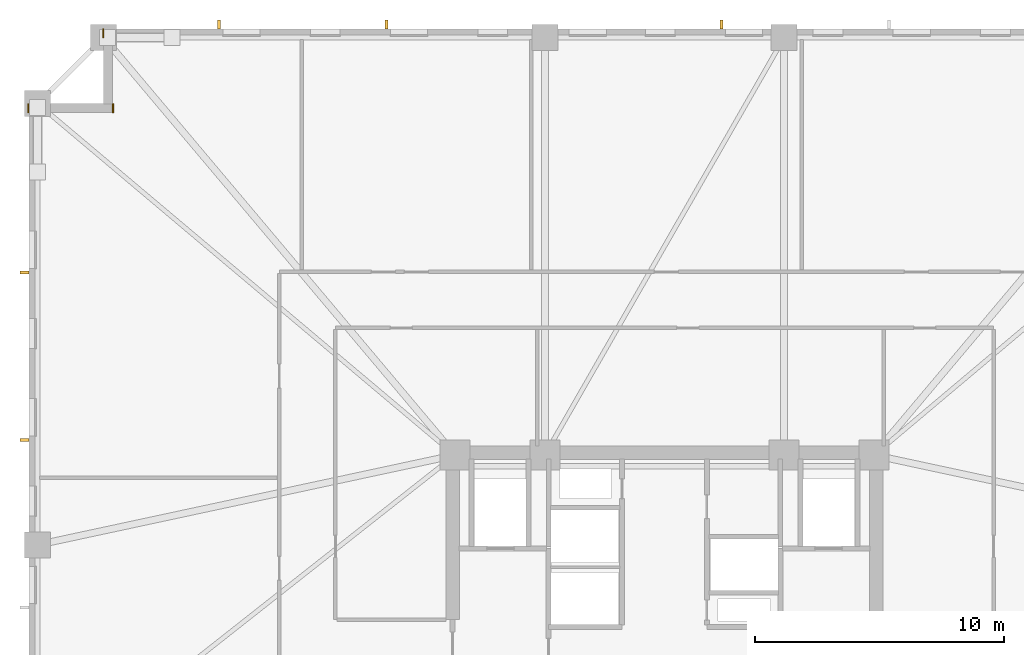
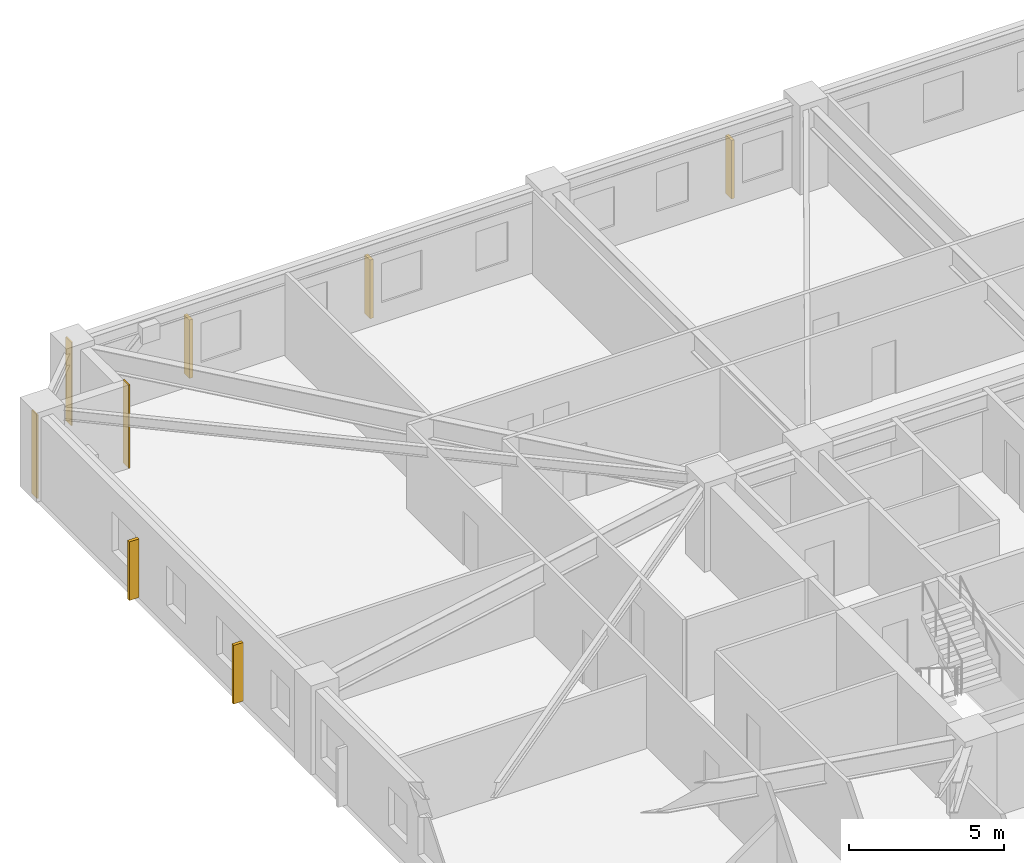
# One storey, part 10 of 11: 5 shading devices, 3 coverings.
"""IFC4 building model written with IfcOpenShell, lengths in metres."""

from ifc_helpers import new_model, si_unit, direction, frame, frame_2d, origin, origin_2d, place, context, subcontext, project, spatial, rectangle, extrude, material, layer, layer_set, type_object, element, save


model = new_model("IFC4")

# Units and contexts
model_context = context("Model", 3, precision=1e-05, world=origin(), true_north=direction((0.0, 1.0)))
body_context = subcontext(model_context, "Body", "Model", "MODEL_VIEW")
ifc_project = project(units=[si_unit("LENGTHUNIT", "METRE"), si_unit("AREAUNIT", "SQUARE_METRE"), si_unit("VOLUMEUNIT", "CUBIC_METRE"), si_unit("PLANEANGLEUNIT", "RADIAN"), si_unit("MASSUNIT", "GRAM", prefix="KILO")], contexts=[model_context])

# Site, building, storey
site_placement = place(None, origin())
site = spatial("IfcSite", under=ifc_project, at=site_placement, CompositionType="ELEMENT")
building_placement = place(site_placement, origin())
building = spatial("IfcBuilding", under=site, at=building_placement, Name="Cairnveth Concourse Tower", CompositionType="ELEMENT")
storey_placement = place(building_placement, frame((0.0, 0.0, 51.5)))
storey = spatial("IfcBuildingStorey", under=building, at=storey_placement, Name="L13", CompositionType="ELEMENT", Elevation=51.5)

# Coverings
ifc_material_1 = material(Name="Dressed Melbourne Bluestone Cladding", Category="masonry")
ifc_layer = layer(ifc_material_1, 0.050048828125)
ifc_layer_set = layer_set([ifc_layer], Name="Dressed Melbourne Bluestone Cladding")
covering_type = type_object("IfcCoveringType", Name="DRESSED BLUESTONE PLINTH CLADDING 50", PredefinedType="CLADDING", material=ifc_layer_set)
for number, where, z_axis, x_axis, name in (
    (1, (26.47998046875, 61.139892578125, 0.0), (0.0, 0.0, 1.0), (0.0, 1.0, 0.0), "Melbourne Bluestone Corner Quoin L13-155"),
    (2, (29.8798828125, 61.139892578125, 0.0), (0.0, 0.0, 1.0), (0.0, 1.0, 0.0), "Melbourne Bluestone Corner Quoin L13-156"),
    (3, (29.47998046875, 64.139892578125, 0.0), (0.0, 0.0, 1.0), (0.0, 1.0, 0.0), "Melbourne Bluestone Corner Quoin L13-157"),
):
    element("IfcCovering", number, at=place(storey_placement, frame(where, z_axis=z_axis, x_axis=x_axis)), inside=storey, type_object=covering_type, Name=name, PredefinedType="CLADDING", context=body_context, shape_type="SweptSolid", body=[
        extrude(rectangle(XDim=0.360107421875, YDim=0.050048828125, at=frame_2d((0.18017578125, 0.0))), origin(), (0.0, 0.0, 1.0), 3.280029296875),
    ])

# Shading devices
ifc_material_2 = material(Name="Architectural Bronze Anodised Aluminium 6063-T6", Category="aluminium")
shading_device_type = type_object("IfcShadingDeviceType", Name="GOTHIC BRONZE VERTICAL LANCET FIN", PredefinedType="USERDEFINED", material=ifc_material_2)
for number, where, z_axis, x_axis, name in (
    (4, (26.324951171875, 48.00146484375, 0.02978515625), (0.0, 0.0, 1.0), (0.0, 1.0, 0.0), "Gothic Bronze Vertical Fin L13-3-9"),
    (5, (26.324951171875, 54.721923828125, 0.02978515625), (0.0, 0.0, 1.0), (0.0, 1.0, 0.0), "Gothic Bronze Vertical Fin L13-3-11"),
    (6, (34.1201171875, 64.675048828125, 0.02978515625), (0.0, 0.0, 1.0), (1.0, 0.0, 0.0), "Gothic Bronze Vertical Fin L13-6-1"),
    (7, (40.840576171875, 64.675048828125, 0.02978515625), (0.0, 0.0, 1.0), (1.0, 0.0, 0.0), "Gothic Bronze Vertical Fin L13-6-3"),
    (8, (54.28125, 64.675048828125, 0.02978515625), (0.0, 0.0, 1.0), (1.0, 0.0, 0.0), "Gothic Bronze Vertical Fin L13-6-7"),
):
    element("IfcShadingDevice", number, at=place(storey_placement, frame(where, z_axis=z_axis, x_axis=x_axis)), inside=storey, type_object=shading_device_type, Name=name, ObjectType="VERTICAL FIN", PredefinedType="USERDEFINED", context=body_context, shape_type="SweptSolid", body=[
        extrude(rectangle(XDim=0.1201171875, YDim=0.360107421875, at=origin_2d()), origin(), (0.0, 0.0, 1.0), 2.303955078125),
    ])

save(model, "model.ifc")
